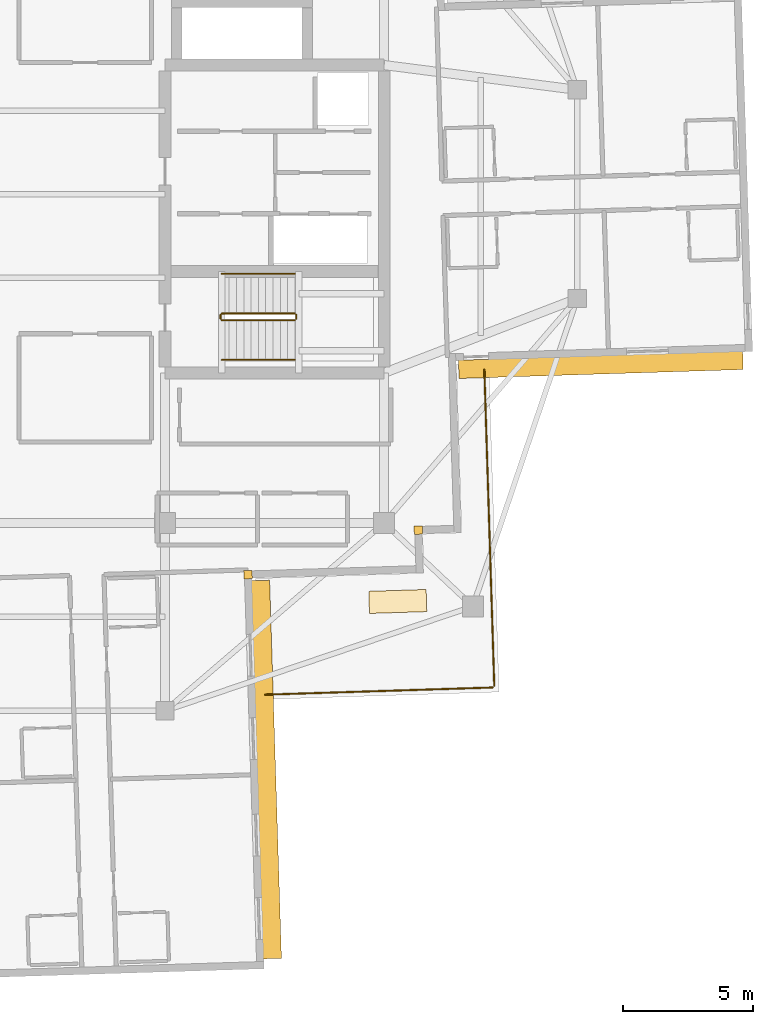
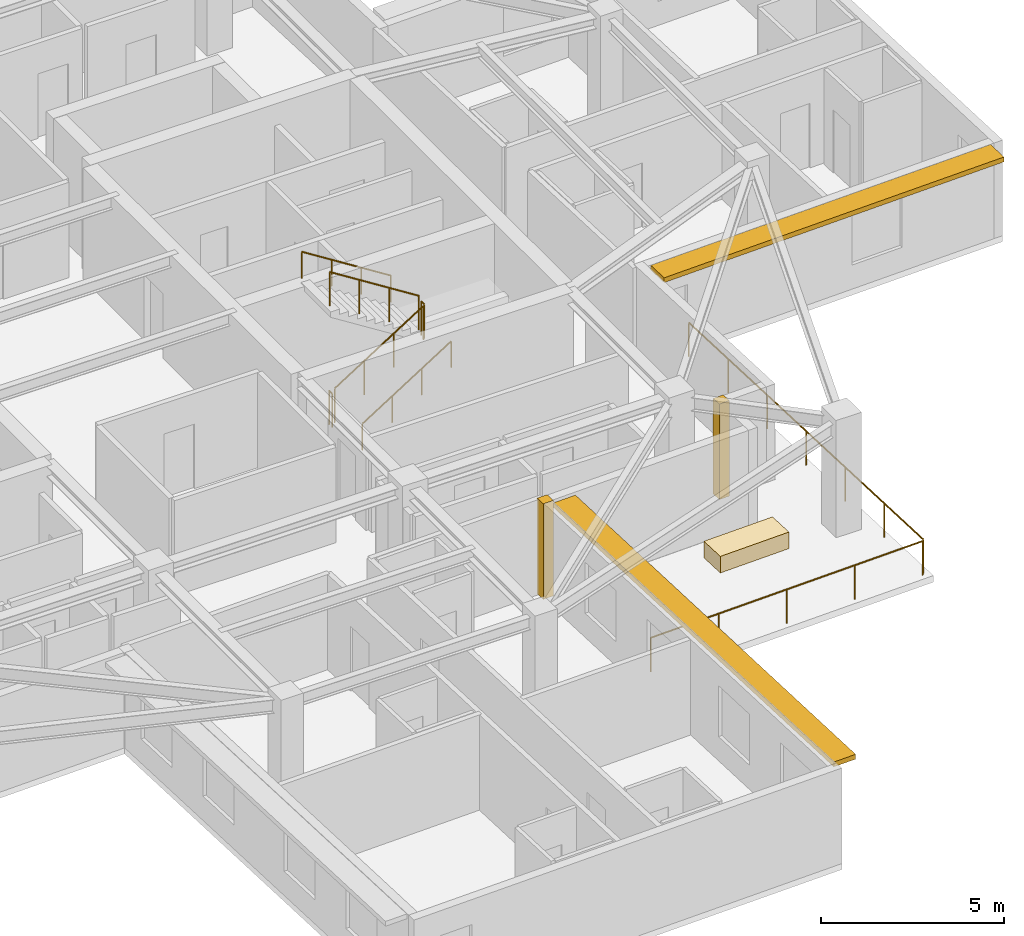
# One storey, part 11 of 13: 8 railings, 3 coverings, 2 shading devices.
"""IFC4 building model written with IfcOpenShell, lengths in metres."""

from ifc_helpers import new_model, si_unit, direction, frame, origin, origin_2d, place, context, subcontext, project, spatial, rectangle, circle, extrude, material, layer, layer_set, type_object, element, save


model = new_model("IFC4")

# Units and contexts
model_context = context("Model", 3, precision=1e-05, world=origin(), true_north=direction((0.0, 1.0)))
body_context = subcontext(model_context, "Body", "Model", "MODEL_VIEW")
ifc_project = project(units=[si_unit("LENGTHUNIT", "METRE"), si_unit("AREAUNIT", "SQUARE_METRE"), si_unit("VOLUMEUNIT", "CUBIC_METRE"), si_unit("PLANEANGLEUNIT", "RADIAN"), si_unit("MASSUNIT", "GRAM", prefix="KILO")], contexts=[model_context])

# Site, building, storey
site_placement = place(None, origin())
site = spatial("IfcSite", under=ifc_project, at=site_placement, CompositionType="ELEMENT")
building_placement = place(site_placement, origin())
building = spatial("IfcBuilding", under=site, at=building_placement, Name="Qingluan Cross Belvedere", CompositionType="ELEMENT")
storey_placement = place(building_placement, frame((0.0, 0.0, 273.300048828125)))
storey = spatial("IfcBuildingStorey", under=building, at=storey_placement, Name="L68", CompositionType="ELEMENT", Elevation=273.300048828125)

# Coverings
ifc_material_1 = material(Name="Precast concrete C45", Category="concrete")
ifc_layer_1 = layer(ifc_material_1, 0.1201171875, Name="ConcreteSpandrelCladding_120")
ifc_layer_set_1 = layer_set([ifc_layer_1], Name="Precast concrete C45")
covering_type_1 = type_object("IfcCoveringType", Name="ConcreteSpandrelCladding_120", PredefinedType="CLADDING", material=ifc_layer_set_1)
for number, where, z_axis, x_axis, name in (
    (1, (13.711181640625, -12.875732421875, 0.0), (0.0, 0.0, 1.0), (0.999506560366, 0.031410759078, 0.0), "Corner closure L68-SE1"),
    (2, (7.181640625, -14.58154296875, 0.0), (0.0, 0.0, 1.0), (0.999506560366, 0.031410759078, 0.0), "Corner closure L68-SE2"),
):
    element("IfcCovering", number, at=place(storey_placement, frame(where, z_axis=z_axis, x_axis=x_axis)), inside=storey, type_object=covering_type_1, Name=name, PredefinedType="CLADDING", context=body_context, shape_type="SweptSolid", body=[
        extrude(rectangle(XDim=0.320068359375, YDim=0.320068359375, at=origin_2d()), origin(), (0.0, 0.0, 1.0), 3.179931640625),
    ])

# Shading devices
ifc_material_2 = material(Name="Precast concrete C45", Category="concrete")
ifc_layer_2 = layer(ifc_material_2, 0.139892578125, Name="ConcreteSunshadeBand_700")
ifc_layer_set_2 = layer_set([ifc_layer_2], Name="Precast concrete C45")
shading_device_type = type_object("IfcShadingDeviceType", Name="ConcreteSunshadeBand_700", PredefinedType="USERDEFINED", material=ifc_layer_set_2)
shading_device_1_placement = place(storey_placement, frame((20.705810546875, -6.542724609375, 3.0), z_axis=(0.0, 0.0, 1.0), x_axis=(0.99950644357, 0.031414475353, 0.0)))
element("IfcShadingDevice", 3, at=shading_device_1_placement, inside=storey, type_object=shading_device_type, Name="Concrete SUNSHADE L68-EA", ObjectType="SUNSHADE", PredefinedType="USERDEFINED", context=body_context, shape_type="SweptSolid", body=[
    extrude(rectangle(XDim=10.89990234375, YDim=0.699951171875, at=origin_2d()), origin(), (0.0, 0.0, 1.0), 0.159912109375),
])
shading_device_2_placement = place(storey_placement, frame((7.88671875, -22.052978515625, 3.0), z_axis=(0.0, 0.0, 1.0), x_axis=(-0.031408051437, 0.999506645453, 0.0)))
element("IfcShadingDevice", 4, at=shading_device_2_placement, inside=storey, type_object=shading_device_type, Name="Concrete SUNSHADE L68-SB", ObjectType="SUNSHADE", PredefinedType="USERDEFINED", context=body_context, shape_type="SweptSolid", body=[
    extrude(rectangle(XDim=14.5, YDim=0.699951171875, at=origin_2d()), origin(), (0.0, 0.0, 1.0), 0.159912109375),
])

# Railings
ifc_material_3 = material(Name="Brushed stainless steel tubular handrail", Category="steel")
railing_type_1 = type_object("IfcRailingType", Name="StairPitchHandrail_900", PredefinedType="HANDRAIL", material=ifc_material_3)
railing_1_placement = place(storey_placement, frame((6.179931640625, -6.35009765625, 0.17724609375)))
element("IfcRailing", 5, at=railing_1_placement, inside=storey, type_object=railing_type_1, Name="L68 ST2 stair handrail 1", PredefinedType="HANDRAIL", context=body_context, shape_type="SweptSolid", body=[
    extrude(circle(Radius=0.02392578125, at=origin_2d()), frame((0.0, 0.0, 0.8759765625), z_axis=(0.844908973607, 0.0, 0.534910110503), x_axis=(0.0, 1.0, 0.0)), (0.0, 0.0, 1.0), 3.31396484375),
    extrude(circle(Radius=0.02099609375, at=origin_2d()), origin(), (0.0, 0.0, 1.0), 0.851806640625),
    extrude(circle(Radius=0.02099609375, at=origin_2d()), frame((0.933349609375, 0.0, 0.5908203125)), (0.0, 0.0, 1.0), 0.851806640625),
    extrude(circle(Radius=0.02099609375, at=origin_2d()), frame((1.86669921875, 0.0, 1.181884765625)), (0.0, 0.0, 1.0), 0.851806640625),
    extrude(circle(Radius=0.02099609375, at=origin_2d()), frame((2.800048828125, 0.0, 1.772705078125)), (0.0, 0.0, 1.0), 0.851806640625),
])
railing_2_placement = place(storey_placement, frame((8.97998046875, -3.050048828125, 2.127197265625)))
element("IfcRailing", 6, at=railing_2_placement, inside=storey, type_object=railing_type_1, Name="L68 ST2 stair handrail 2", PredefinedType="HANDRAIL", context=body_context, shape_type="SweptSolid", body=[
    extrude(circle(Radius=0.02392578125, at=origin_2d()), frame((0.0, 0.0, 0.8759765625), z_axis=(-0.844908973607, 0.0, 0.534910110503), x_axis=(0.0, -1.0, 0.0)), (0.0, 0.0, 1.0), 3.31396484375),
    extrude(circle(Radius=0.02099609375, at=origin_2d()), origin(), (0.0, 0.0, 1.0), 0.851806640625),
    extrude(circle(Radius=0.02099609375, at=origin_2d()), frame((-0.933349609375, 0.0, 0.5908203125)), (0.0, 0.0, 1.0), 0.851806640625),
    extrude(circle(Radius=0.02099609375, at=origin_2d()), frame((-1.86669921875, 0.0, 1.181884765625)), (0.0, 0.0, 1.0), 0.851806640625),
    extrude(circle(Radius=0.02099609375, at=origin_2d()), frame((-2.800048828125, 0.0, 1.772705078125)), (0.0, 0.0, 1.0), 0.851806640625),
])
ifc_material_4 = material(Name="Painted steel stair well guard", Category="steel")
railing_type_2 = type_object("IfcRailingType", Name="StairWellGuard_1150", PredefinedType="BALUSTRADE", material=ifc_material_4)
railing_3_placement = place(storey_placement, frame((6.179931640625, -4.830078125, 0.17724609375)))
element("IfcRailing", 7, at=railing_3_placement, inside=storey, type_object=railing_type_2, Name="L68 ST2 stair guard 1", PredefinedType="BALUSTRADE", context=body_context, shape_type="SweptSolid", body=[
    extrude(circle(Radius=0.02392578125, at=origin_2d()), frame((0.0, 0.0, 1.1259765625), z_axis=(0.844908973607, 0.0, 0.534910110503), x_axis=(0.0, 1.0, 0.0)), (0.0, 0.0, 1.0), 3.31396484375),
    extrude(circle(Radius=0.02099609375, at=origin_2d()), origin(), (0.0, 0.0, 1.0), 1.101806640625),
    extrude(circle(Radius=0.02099609375, at=origin_2d()), frame((0.933349609375, 0.0, 0.5908203125)), (0.0, 0.0, 1.0), 1.101806640625),
    extrude(circle(Radius=0.02099609375, at=origin_2d()), frame((1.86669921875, 0.0, 1.181884765625)), (0.0, 0.0, 1.0), 1.101806640625),
    extrude(circle(Radius=0.02099609375, at=origin_2d()), frame((2.800048828125, 0.0, 1.772705078125)), (0.0, 0.0, 1.0), 1.101806640625),
])
railing_4_placement = place(storey_placement, frame((9.030029296875, -4.780029296875, 1.949951171875)))
element("IfcRailing", 8, at=railing_4_placement, inside=storey, type_object=railing_type_2, Name="L68 ST2 stair guard 2", PredefinedType="BALUSTRADE", context=body_context, shape_type="SweptSolid", body=[
    extrude(circle(Radius=0.02392578125, at=origin_2d()), frame((0.0, 0.0, 1.1259765625), z_axis=(0.0, 1.0, 0.0), x_axis=(-1.0, 0.0, 0.0)), (0.0, 0.0, 1.0), 0.159912109375),
    extrude(circle(Radius=0.02099609375, at=origin_2d()), origin(), (0.0, 0.0, 1.0), 1.101806640625),
    extrude(circle(Radius=0.02099609375, at=origin_2d()), frame((0.0, 0.159912109375, 0.0)), (0.0, 0.0, 1.0), 1.101806640625),
])
railing_5_placement = place(storey_placement, frame((8.97998046875, -4.570068359375, 2.127197265625)))
element("IfcRailing", 9, at=railing_5_placement, inside=storey, type_object=railing_type_2, Name="L68 ST2 stair guard 3", PredefinedType="BALUSTRADE", context=body_context, shape_type="SweptSolid", body=[
    extrude(circle(Radius=0.02392578125, at=origin_2d()), frame((0.0, 0.0, 1.1259765625), z_axis=(-0.844908973607, 0.0, 0.534910110503), x_axis=(0.0, -1.0, 0.0)), (0.0, 0.0, 1.0), 3.31396484375),
    extrude(circle(Radius=0.02099609375, at=origin_2d()), origin(), (0.0, 0.0, 1.0), 1.101806640625),
    extrude(circle(Radius=0.02099609375, at=origin_2d()), frame((-0.933349609375, 0.0, 0.5908203125)), (0.0, 0.0, 1.0), 1.101806640625),
    extrude(circle(Radius=0.02099609375, at=origin_2d()), frame((-1.86669921875, 0.0, 1.181884765625)), (0.0, 0.0, 1.0), 1.101806640625),
    extrude(circle(Radius=0.02099609375, at=origin_2d()), frame((-2.800048828125, 0.0, 1.772705078125)), (0.0, 0.0, 1.0), 1.101806640625),
])
railing_6_placement = place(storey_placement, frame((6.1298828125, -4.780029296875, 0.0)))
element("IfcRailing", 10, at=railing_6_placement, inside=storey, type_object=railing_type_2, Name="L68 ST2 stair guard 4", PredefinedType="BALUSTRADE", context=body_context, shape_type="SweptSolid", body=[
    extrude(circle(Radius=0.02392578125, at=origin_2d()), frame((0.0, 0.0, 1.1259765625), z_axis=(0.0, 1.0, 0.0), x_axis=(-1.0, 0.0, 0.0)), (0.0, 0.0, 1.0), 0.159912109375),
    extrude(circle(Radius=0.02099609375, at=origin_2d()), origin(), (0.0, 0.0, 1.0), 1.101806640625),
    extrude(circle(Radius=0.02099609375, at=origin_2d()), frame((0.0, 0.159912109375, 0.0)), (0.0, 0.0, 1.0), 1.101806640625),
])
ifc_material_5 = material(Name="Laminated glass and stainless steel balustrade", Category="steel")
railing_type_3 = type_object("IfcRailingType", Name="TerraceGuardBalustrade_1150", PredefinedType="BALUSTRADE", material=ifc_material_5)
railing_7_placement = place(storey_placement, frame((16.239501953125, -6.733154296875, 0.0)))
element("IfcRailing", 11, at=railing_7_placement, inside=storey, type_object=railing_type_3, Name="Terrace guard L68-1", PredefinedType="BALUSTRADE", context=body_context, shape_type="SweptSolid", body=[
    extrude(circle(Radius=0.02392578125, at=origin_2d()), frame((0.0, 0.0, 1.1259765625), z_axis=(0.031403286853, -0.999506795162, 0.0), x_axis=(0.999506795162, 0.031403286853, 0.0)), (0.0, 0.0, 1.0), 12.1201171875),
    extrude(circle(Radius=0.02099609375, at=origin_2d()), origin(), (0.0, 0.0, 1.0), 1.101806640625),
    extrude(circle(Radius=0.02099609375, at=origin_2d()), frame((0.0634765625, -2.01904296875, 0.0)), (0.0, 0.0, 1.0), 1.101806640625),
    extrude(circle(Radius=0.02099609375, at=origin_2d()), frame((0.126953125, -4.0380859375, 0.0)), (0.0, 0.0, 1.0), 1.101806640625),
    extrude(circle(Radius=0.02099609375, at=origin_2d()), frame((0.1904296875, -6.05712890625, 0.0)), (0.0, 0.0, 1.0), 1.101806640625),
    extrude(circle(Radius=0.02099609375, at=origin_2d()), frame((0.253662109375, -8.076171875, 0.0)), (0.0, 0.0, 1.0), 1.101806640625),
    extrude(circle(Radius=0.02099609375, at=origin_2d()), frame((0.317138671875, -10.09521484375, 0.0)), (0.0, 0.0, 1.0), 1.101806640625),
    extrude(circle(Radius=0.02099609375, at=origin_2d()), frame((0.380615234375, -12.1142578125, 0.0)), (0.0, 0.0, 1.0), 1.101806640625),
])
railing_8_placement = place(storey_placement, frame((16.562255859375, -18.9091796875, 0.0)))
element("IfcRailing", 12, at=railing_8_placement, inside=storey, type_object=railing_type_3, Name="Terrace guard L68-2", PredefinedType="BALUSTRADE", context=body_context, shape_type="SweptSolid", body=[
    extrude(circle(Radius=0.02392578125, at=origin_2d()), frame((0.0, 0.0, 1.1259765625), z_axis=(-0.999506488021, -0.031413061052, 0.0), x_axis=(0.031413061052, -0.999506488021, 0.0)), (0.0, 0.0, 1.0), 8.72021484375),
    extrude(circle(Radius=0.02099609375, at=origin_2d()), origin(), (0.0, 0.0, 1.0), 1.101806640625),
    extrude(circle(Radius=0.02099609375, at=origin_2d()), frame((-2.178955078125, -0.068359375, 0.0)), (0.0, 0.0, 1.0), 1.101806640625),
    extrude(circle(Radius=0.02099609375, at=origin_2d()), frame((-4.35791015625, -0.136962890625, 0.0)), (0.0, 0.0, 1.0), 1.101806640625),
    extrude(circle(Radius=0.02099609375, at=origin_2d()), frame((-6.536865234375, -0.20556640625, 0.0)), (0.0, 0.0, 1.0), 1.101806640625),
    extrude(circle(Radius=0.02099609375, at=origin_2d()), frame((-8.7158203125, -0.27392578125, 0.0)), (0.0, 0.0, 1.0), 1.101806640625),
])

# Covering
ifc_material_6 = material(Name="Precast concrete C40", Category="concrete")
ifc_layer_3 = layer(ifc_material_6, 0.550048828125, Name="TerracePlanterBox")
ifc_layer_set_3 = layer_set([ifc_layer_3], Name="Precast concrete C40")
covering_type_2 = type_object("IfcCoveringType", Name="TerracePlanterBox", PredefinedType="USERDEFINED", material=ifc_layer_set_3)
covering_placement = place(storey_placement, frame((12.922119140625, -15.611083984375, 0.0), z_axis=(0.0, 0.0, 1.0), x_axis=(0.999506560366, 0.031410759078, 0.0)))
element("IfcCovering", 13, at=covering_placement, inside=storey, type_object=covering_type_2, Name="Spiralling winter-garden planter L68", ObjectType="PLANTER", PredefinedType="USERDEFINED", context=body_context, shape_type="SweptSolid", body=[
    extrude(rectangle(XDim=2.199951171875, YDim=0.85009765625, at=origin_2d()), origin(), (0.0, 0.0, 1.0), 0.550048828125),
])

save(model, "model.ifc")
